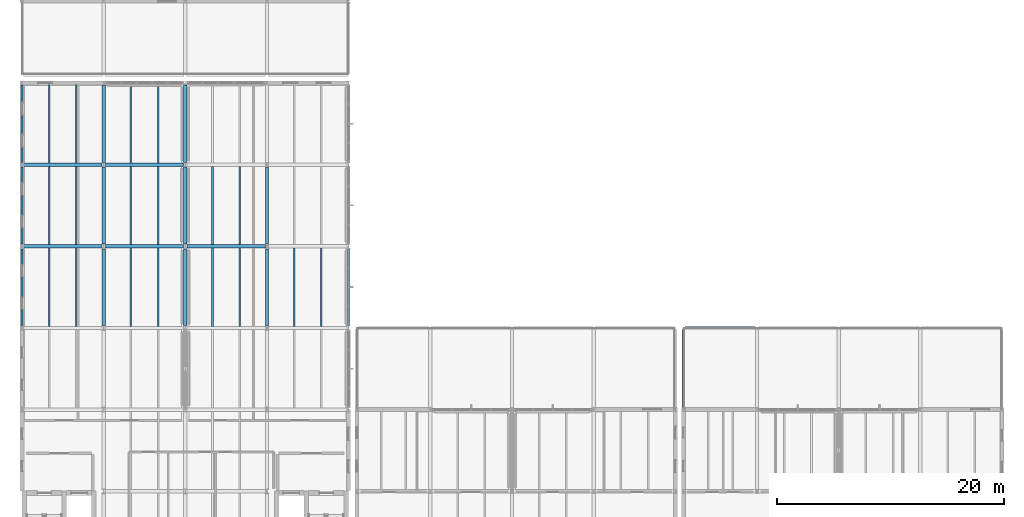
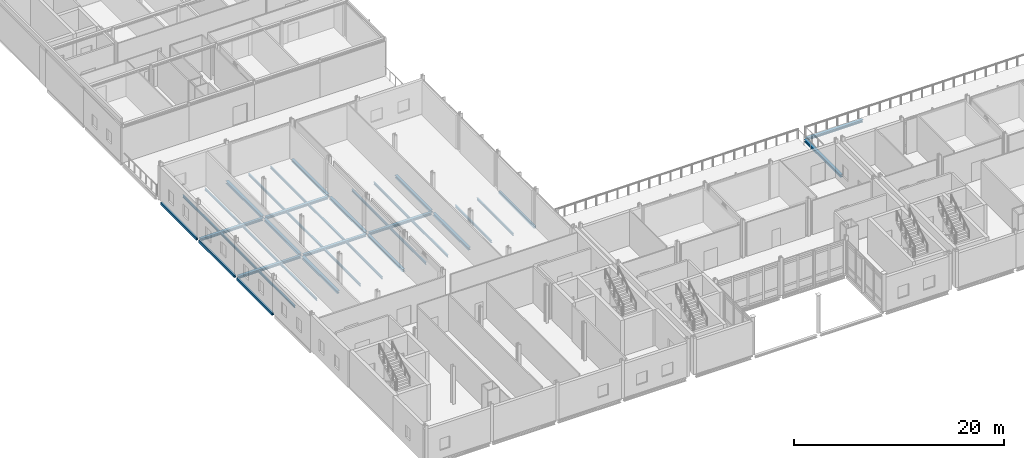
# One storey, part 12 of 53: 37 beams.
"""IFC4 building model written with IfcOpenShell, lengths in metres."""

from ifc_helpers import new_model, si_unit, direction, frame, origin, origin_2d, place, context, subcontext, project, spatial, hollow_rectangle, i_section, extrude, material, material_profile, profile_set, type_object, element, save


model = new_model("IFC4")

# Units and contexts
model_context = context("Model", 3, precision=1e-05, world=origin(), true_north=direction((0.0, 1.0)))
body_context = subcontext(model_context, "Body", "Model", "MODEL_VIEW")
ifc_project = project(units=[si_unit("LENGTHUNIT", "METRE"), si_unit("AREAUNIT", "SQUARE_METRE"), si_unit("VOLUMEUNIT", "CUBIC_METRE"), si_unit("PLANEANGLEUNIT", "RADIAN"), si_unit("MASSUNIT", "GRAM", prefix="KILO")], contexts=[model_context])

# Site, building, storey
site_placement = place(None, origin())
site = spatial("IfcSite", under=ifc_project, at=site_placement, CompositionType="ELEMENT")
building_placement = place(site_placement, origin())
building = spatial("IfcBuilding", under=site, at=building_placement, Name="Zarrinpeak Specialist Clinic", CompositionType="ELEMENT")
storey_placement = place(building_placement, frame((0.0, 0.0, 14.0)))
storey = spatial("IfcBuildingStorey", under=building, at=storey_placement, Name="L03", CompositionType="ELEMENT", Elevation=14.0)

# Beams
ifc_material = material(Name="Steel S355", Category="steel")
ifc_material_profile_1 = material_profile(ifc_material, i_section(OverallWidth=0.300048828125, OverallDepth=0.2900390625, WebThickness=0.008544921875, FlangeThickness=0.013916015625, FilletRadius=0.027099609375, at=origin_2d()), Name="HEA 300")
ifc_profile_set_1 = profile_set([ifc_material_profile_1], Name="Steel S355")
beam_type_1 = type_object("IfcBeamType", Name="BM-HEA300", PredefinedType="BEAM", material=ifc_profile_set_1)
beam_1_placement = place(storey_placement, frame((58.43798828125, 28.800048828125, -0.340087890625), z_axis=(1.0, 0.0, 0.0), x_axis=(0.0, 1.0, 0.0)))
element("IfcBeam", 1, at=beam_1_placement, inside=storey, type_object=beam_type_1, Name="L03 Primary Floor Girder BM-L03-X1533", PredefinedType="BEAM", context=body_context, shape_type="SweptSolid", body=[
    extrude(i_section(OverallWidth=0.300048828125, OverallDepth=0.2900390625, WebThickness=0.008544921875, FlangeThickness=0.013916015625, FilletRadius=0.027099609375, at=origin_2d()), origin(), (0.0, 0.0, 1.0), 6.243896484375),
])
for number, where, z_axis, x_axis, name in (
    (2, (0.14794921875, 36.0, -0.344970703125), (1.0, 0.0, 0.0), (0.0, 1.0, 0.0), "L03 Primary Floor Girder BM-L03-X1537"),
    (3, (7.347900390625, 36.0, -0.344970703125), (1.0, 0.0, 0.0), (0.0, 1.0, 0.0), "L03 Primary Floor Girder BM-L03-X1538"),
):
    element("IfcBeam", number, at=place(storey_placement, frame(where, z_axis=z_axis, x_axis=x_axis)), inside=storey, type_object=beam_type_1, Name=name, PredefinedType="BEAM", context=body_context, shape_type="SweptSolid", body=[
        extrude(i_section(OverallWidth=0.300048828125, OverallDepth=0.2900390625, WebThickness=0.008544921875, FlangeThickness=0.013916015625, FilletRadius=0.027099609375, at=origin_2d()), origin(), (0.0, 0.0, 1.0), 6.904052734375),
    ])
beam_2_placement = place(storey_placement, frame((14.548095703125, 36.0, -0.344970703125), z_axis=(1.0, 0.0, 0.0), x_axis=(0.0, 1.0, 0.0)))
element("IfcBeam", 4, at=beam_2_placement, inside=storey, type_object=beam_type_1, Name="L03 Primary Floor Girder BM-L03-X1539", PredefinedType="BEAM", context=body_context, shape_type="SweptSolid", body=[
    extrude(i_section(OverallWidth=0.300048828125, OverallDepth=0.2900390625, WebThickness=0.008544921875, FlangeThickness=0.013916015625, FilletRadius=0.027099609375, at=origin_2d()), origin(), (0.0, 0.0, 1.0), 6.90380859375),
])
for number, where, z_axis, x_axis, name in (
    (5, (0.14794921875, 43.199951171875, -0.344970703125), (1.0, 0.0, 0.0), (0.0, 1.0, 0.0), "L03 Primary Floor Girder BM-L03-X1541"),
    (6, (7.347900390625, 43.199951171875, -0.344970703125), (1.0, 0.0, 0.0), (0.0, 1.0, 0.0), "L03 Primary Floor Girder BM-L03-X1542"),
):
    element("IfcBeam", number, at=place(storey_placement, frame(where, z_axis=z_axis, x_axis=x_axis)), inside=storey, type_object=beam_type_1, Name=name, PredefinedType="BEAM", context=body_context, shape_type="SweptSolid", body=[
        extrude(i_section(OverallWidth=0.300048828125, OverallDepth=0.2900390625, WebThickness=0.008544921875, FlangeThickness=0.013916015625, FilletRadius=0.027099609375, at=origin_2d()), origin(), (0.0, 0.0, 1.0), 6.904052734375),
    ])
beam_3_placement = place(storey_placement, frame((7.199951171875, 29.02294921875, -0.344970703125), z_axis=(0.0, 1.0, 0.0), x_axis=(-1.0, 0.0, 0.0)))
element("IfcBeam", 7, at=beam_3_placement, inside=storey, type_object=beam_type_1, Name="L03 Primary Beam BM-L03-Y1604", PredefinedType="BEAM", context=body_context, shape_type="SweptSolid", body=[
    extrude(i_section(OverallWidth=0.300048828125, OverallDepth=0.2900390625, WebThickness=0.008544921875, FlangeThickness=0.013916015625, FilletRadius=0.027099609375, at=origin_2d()), origin(), (0.0, 0.0, 1.0), 6.754150390625),
])
beam_4_placement = place(storey_placement, frame((7.199951171875, 36.222900390625, -0.344970703125), z_axis=(0.0, 1.0, 0.0), x_axis=(-1.0, 0.0, 0.0)))
element("IfcBeam", 8, at=beam_4_placement, inside=storey, type_object=beam_type_1, Name="L03 Primary Beam BM-L03-Y1605", PredefinedType="BEAM", context=body_context, shape_type="SweptSolid", body=[
    extrude(i_section(OverallWidth=0.300048828125, OverallDepth=0.2900390625, WebThickness=0.008544921875, FlangeThickness=0.013916015625, FilletRadius=0.027099609375, at=origin_2d()), origin(), (0.0, 0.0, 1.0), 6.779052734375),
])
beam_5_placement = place(storey_placement, frame((7.199951171875, 43.39794921875, -0.344970703125), z_axis=(0.0, 1.0, 0.0), x_axis=(-1.0, 0.0, 0.0)))
element("IfcBeam", 9, at=beam_5_placement, inside=storey, type_object=beam_type_1, Name="L03 Primary Beam BM-L03-Y1606", PredefinedType="BEAM", context=body_context, shape_type="SweptSolid", body=[
    extrude(i_section(OverallWidth=0.300048828125, OverallDepth=0.2900390625, WebThickness=0.008544921875, FlangeThickness=0.013916015625, FilletRadius=0.027099609375, at=origin_2d()), origin(), (0.0, 0.0, 1.0), 6.823974609375),
])
beam_6_placement = place(storey_placement, frame((14.39990234375, 29.02294921875, -0.344970703125), z_axis=(0.0, 1.0, 0.0), x_axis=(-1.0, 0.0, 0.0)))
element("IfcBeam", 10, at=beam_6_placement, inside=storey, type_object=beam_type_1, Name="L03 Primary Beam BM-L03-Y1616", PredefinedType="BEAM", context=body_context, shape_type="SweptSolid", body=[
    extrude(i_section(OverallWidth=0.300048828125, OverallDepth=0.2900390625, WebThickness=0.008544921875, FlangeThickness=0.013916015625, FilletRadius=0.027099609375, at=origin_2d()), origin(), (0.0, 0.0, 1.0), 6.754150390625),
])
beam_7_placement = place(storey_placement, frame((14.39990234375, 36.222900390625, -0.344970703125), z_axis=(0.0, 1.0, 0.0), x_axis=(-1.0, 0.0, 0.0)))
element("IfcBeam", 11, at=beam_7_placement, inside=storey, type_object=beam_type_1, Name="L03 Primary Beam BM-L03-Y1617", PredefinedType="BEAM", context=body_context, shape_type="SweptSolid", body=[
    extrude(i_section(OverallWidth=0.300048828125, OverallDepth=0.2900390625, WebThickness=0.008544921875, FlangeThickness=0.013916015625, FilletRadius=0.027099609375, at=origin_2d()), origin(), (0.0, 0.0, 1.0), 6.779052734375),
])
beam_8_placement = place(storey_placement, frame((14.39990234375, 43.39794921875, -0.344970703125), z_axis=(0.0, 1.0, 0.0), x_axis=(-1.0, 0.0, 0.0)))
element("IfcBeam", 12, at=beam_8_placement, inside=storey, type_object=beam_type_1, Name="L03 Primary Beam BM-L03-Y1618", PredefinedType="BEAM", context=body_context, shape_type="SweptSolid", body=[
    extrude(i_section(OverallWidth=0.300048828125, OverallDepth=0.2900390625, WebThickness=0.008544921875, FlangeThickness=0.013916015625, FilletRadius=0.027099609375, at=origin_2d()), origin(), (0.0, 0.0, 1.0), 6.823974609375),
])
beam_9_placement = place(storey_placement, frame((21.60009765625, 29.02294921875, -0.344970703125), z_axis=(0.0, 1.0, 0.0), x_axis=(-1.0, 0.0, 0.0)))
element("IfcBeam", 13, at=beam_9_placement, inside=storey, type_object=beam_type_1, Name="L03 Primary Beam BM-L03-Y1628", PredefinedType="BEAM", context=body_context, shape_type="SweptSolid", body=[
    extrude(i_section(OverallWidth=0.300048828125, OverallDepth=0.2900390625, WebThickness=0.008544921875, FlangeThickness=0.013916015625, FilletRadius=0.027099609375, at=origin_2d()), origin(), (0.0, 0.0, 1.0), 6.754150390625),
])
beam_10_placement = place(storey_placement, frame((21.60009765625, 36.222900390625, -0.344970703125), z_axis=(0.0, 1.0, 0.0), x_axis=(-1.0, 0.0, 0.0)))
element("IfcBeam", 14, at=beam_10_placement, inside=storey, type_object=beam_type_1, Name="L03 Primary Beam BM-L03-Y1629", PredefinedType="BEAM", context=body_context, shape_type="SweptSolid", body=[
    extrude(i_section(OverallWidth=0.300048828125, OverallDepth=0.2900390625, WebThickness=0.008544921875, FlangeThickness=0.013916015625, FilletRadius=0.027099609375, at=origin_2d()), origin(), (0.0, 0.0, 1.0), 6.779052734375),
])
beam_11_placement = place(storey_placement, frame((58.320068359375, 21.778076171875, -0.340087890625), z_axis=(0.0, 1.0, 0.0), x_axis=(-1.0, 0.0, 0.0)))
element("IfcBeam", 15, at=beam_11_placement, inside=storey, type_object=beam_type_1, Name="L03 Primary Beam BM-L03-Y1677", PredefinedType="BEAM", context=body_context, shape_type="SweptSolid", body=[
    extrude(i_section(OverallWidth=0.300048828125, OverallDepth=0.2900390625, WebThickness=0.008544921875, FlangeThickness=0.013916015625, FilletRadius=0.027099609375, at=origin_2d()), origin(), (0.0, 0.0, 1.0), 6.90380859375),
])
ifc_material_profile_2 = material_profile(ifc_material, i_section(OverallWidth=0.135009765625, OverallDepth=0.27001953125, WebThickness=0.006591796875, FlangeThickness=0.01025390625, FilletRadius=0.014892578125, at=origin_2d()), Name="IPE 270")
ifc_profile_set_2 = profile_set([ifc_material_profile_2], Name="Steel S355")
beam_type_2 = type_object("IfcBeamType", Name="BM-JST270", PredefinedType="JOIST", material=ifc_profile_set_2)
for number, where, z_axis, x_axis, name in (
    (16, (2.39990234375, 28.947998046875, -0.3349609375), (0.0, 1.0, 0.0), (-1.0, 0.0, 0.0), "L03 Composite Floor Joist JST-L03-1695"),
    (17, (4.800048828125, 28.947998046875, -0.3349609375), (0.0, 1.0, 0.0), (-1.0, 0.0, 0.0), "L03 Composite Floor Joist JST-L03-1696"),
    (18, (2.39990234375, 36.14794921875, -0.3349609375), (0.0, 1.0, 0.0), (-1.0, 0.0, 0.0), "L03 Composite Floor Joist JST-L03-1697"),
    (19, (4.800048828125, 36.14794921875, -0.3349609375), (0.0, 1.0, 0.0), (-1.0, 0.0, 0.0), "L03 Composite Floor Joist JST-L03-1698"),
    (20, (2.39990234375, 43.347900390625, -0.3349609375), (0.0, 1.0, 0.0), (-1.0, 0.0, 0.0), "L03 Composite Floor Joist JST-L03-1699"),
    (21, (4.800048828125, 43.347900390625, -0.3349609375), (0.0, 1.0, 0.0), (-1.0, 0.0, 0.0), "L03 Composite Floor Joist JST-L03-1700"),
    (22, (9.60009765625, 28.947998046875, -0.3349609375), (0.0, 1.0, 0.0), (-1.0, 0.0, 0.0), "L03 Composite Floor Joist JST-L03-1709"),
    (23, (12.0, 28.947998046875, -0.3349609375), (0.0, 1.0, 0.0), (-1.0, 0.0, 0.0), "L03 Composite Floor Joist JST-L03-1710"),
    (24, (9.60009765625, 36.14794921875, -0.3349609375), (0.0, 1.0, 0.0), (-1.0, 0.0, 0.0), "L03 Composite Floor Joist JST-L03-1711"),
    (25, (12.0, 36.14794921875, -0.3349609375), (0.0, 1.0, 0.0), (-1.0, 0.0, 0.0), "L03 Composite Floor Joist JST-L03-1712"),
    (26, (9.60009765625, 43.347900390625, -0.3349609375), (0.0, 1.0, 0.0), (-1.0, 0.0, 0.0), "L03 Composite Floor Joist JST-L03-1713"),
    (27, (12.0, 43.347900390625, -0.3349609375), (0.0, 1.0, 0.0), (-1.0, 0.0, 0.0), "L03 Composite Floor Joist JST-L03-1714"),
    (28, (16.800048828125, 28.947998046875, -0.3349609375), (0.0, 1.0, 0.0), (-1.0, 0.0, 0.0), "L03 Composite Floor Joist JST-L03-1723"),
    (29, (19.199951171875, 28.947998046875, -0.3349609375), (0.0, 1.0, 0.0), (-1.0, 0.0, 0.0), "L03 Composite Floor Joist JST-L03-1724"),
    (30, (16.800048828125, 36.14794921875, -0.3349609375), (0.0, 1.0, 0.0), (-1.0, 0.0, 0.0), "L03 Composite Floor Joist JST-L03-1725"),
    (31, (19.199951171875, 36.14794921875, -0.3349609375), (0.0, 1.0, 0.0), (-1.0, 0.0, 0.0), "L03 Composite Floor Joist JST-L03-1726"),
    (32, (24.0, 28.947998046875, -0.3349609375), (0.0, 1.0, 0.0), (-1.0, 0.0, 0.0), "L03 Composite Floor Joist JST-L03-1731"),
    (33, (26.39990234375, 28.947998046875, -0.3349609375), (0.0, 1.0, 0.0), (-1.0, 0.0, 0.0), "L03 Composite Floor Joist JST-L03-1732"),
):
    element("IfcBeam", number, at=place(storey_placement, frame(where, z_axis=z_axis, x_axis=x_axis)), inside=storey, type_object=beam_type_2, Name=name, PredefinedType="JOIST", context=body_context, shape_type="SweptSolid", body=[
        extrude(i_section(OverallWidth=0.135009765625, OverallDepth=0.27001953125, WebThickness=0.006591796875, FlangeThickness=0.01025390625, FilletRadius=0.014892578125, at=origin_2d()), origin(), (0.0, 0.0, 1.0), 6.904052734375),
    ])
ifc_material_profile_3 = material_profile(ifc_material, hollow_rectangle(XDim=0.199951171875, YDim=0.300048828125, WallThickness=0.012451171875, at=origin_2d()), Name="RHS 300x200x12.5")
ifc_profile_set_3 = profile_set([ifc_material_profile_3], Name="Steel S355")
beam_type_3 = type_object("IfcBeamType", Name="BM-SP300", PredefinedType="SPANDREL", material=ifc_profile_set_3)
beam_12_placement = place(storey_placement, frame((0.0, 29.02294921875, -0.35009765625), z_axis=(0.0, 1.0, 0.0), x_axis=(-1.0, 0.0, 0.0)))
element("IfcBeam", 34, at=beam_12_placement, inside=storey, type_object=beam_type_3, Name="L03 Perimeter Spandrel Beam BM-L03-Y1594", PredefinedType="SPANDREL", context=body_context, shape_type="SweptSolid", body=[
    extrude(hollow_rectangle(XDim=0.199951171875, YDim=0.300048828125, WallThickness=0.012451171875, at=origin_2d()), origin(), (0.0, 0.0, 1.0), 6.754150390625),
])
beam_13_placement = place(storey_placement, frame((0.0, 36.222900390625, -0.35009765625), z_axis=(0.0, 1.0, 0.0), x_axis=(-1.0, 0.0, 0.0)))
element("IfcBeam", 35, at=beam_13_placement, inside=storey, type_object=beam_type_3, Name="L03 Perimeter Spandrel Beam BM-L03-Y1595", PredefinedType="SPANDREL", context=body_context, shape_type="SweptSolid", body=[
    extrude(hollow_rectangle(XDim=0.199951171875, YDim=0.300048828125, WallThickness=0.012451171875, at=origin_2d()), origin(), (0.0, 0.0, 1.0), 6.779052734375),
])
beam_14_placement = place(storey_placement, frame((0.0, 43.39794921875, -0.35009765625), z_axis=(0.0, 1.0, 0.0), x_axis=(-1.0, 0.0, 0.0)))
element("IfcBeam", 36, at=beam_14_placement, inside=storey, type_object=beam_type_3, Name="L03 Perimeter Spandrel Beam BM-L03-Y1596", PredefinedType="SPANDREL", context=body_context, shape_type="SweptSolid", body=[
    extrude(hollow_rectangle(XDim=0.199951171875, YDim=0.300048828125, WallThickness=0.012451171875, at=origin_2d()), origin(), (0.0, 0.0, 1.0), 6.823974609375),
])
beam_15_placement = place(storey_placement, frame((28.800048828125, 29.02294921875, -0.35009765625), z_axis=(0.0, 1.0, 0.0), x_axis=(-1.0, 0.0, 0.0)))
element("IfcBeam", 37, at=beam_15_placement, inside=storey, type_object=beam_type_3, Name="L03 Perimeter Spandrel Beam BM-L03-Y1637", PredefinedType="SPANDREL", context=body_context, shape_type="SweptSolid", body=[
    extrude(hollow_rectangle(XDim=0.199951171875, YDim=0.300048828125, WallThickness=0.012451171875, at=origin_2d()), origin(), (0.0, 0.0, 1.0), 6.754150390625),
])

save(model, "model.ifc")
